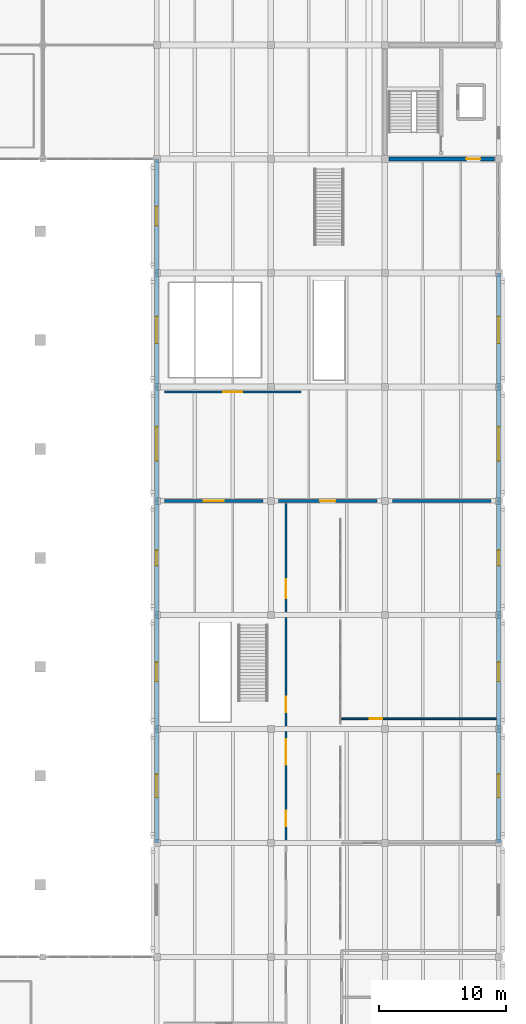
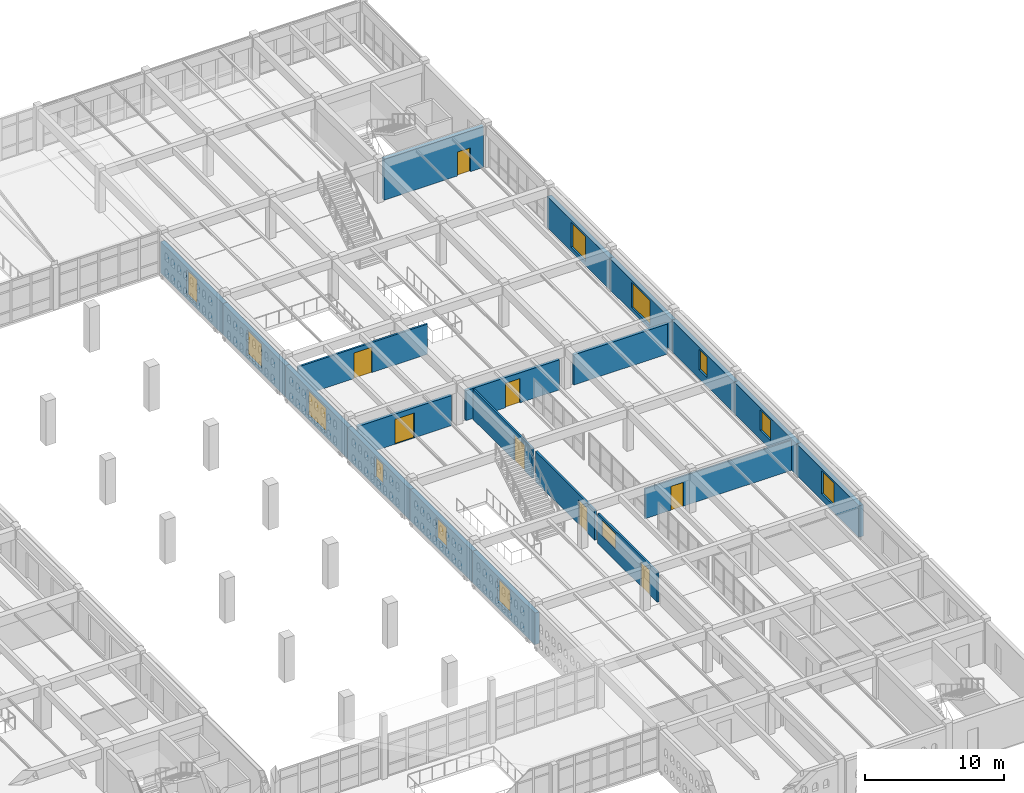
# One storey, part 135 of 156: 20 walls, 12 windows, 8 doors, 20 openings.
"""IFC4 building model written with IfcOpenShell, lengths in metres."""

from ifc_helpers import new_model, si_unit, direction, frame, frame_2d, origin, place, context, subcontext, project, spatial, rectangle, extrude, material, layer, layer_set, type_object, element, fill, save


model = new_model("IFC4")

# Units and contexts
model_context = context("Model", 3, precision=1e-05, world=origin(), true_north=direction((0.0, 1.0)))
body_context = subcontext(model_context, "Body", "Model", "MODEL_VIEW")
ifc_project = project(units=[si_unit("LENGTHUNIT", "METRE"), si_unit("AREAUNIT", "SQUARE_METRE"), si_unit("VOLUMEUNIT", "CUBIC_METRE"), si_unit("PLANEANGLEUNIT", "RADIAN"), si_unit("MASSUNIT", "GRAM", prefix="KILO")], contexts=[model_context])

# Site, building, storey
site_placement = place(None, origin())
site = spatial("IfcSite", under=ifc_project, at=site_placement, CompositionType="ELEMENT")
building_placement = place(site_placement, origin())
building = spatial("IfcBuilding", under=site, at=building_placement, Name="Ornek Quay Market", CompositionType="ELEMENT")
storey_placement = place(building_placement, frame((0.0, 0.0, 4.5)))
storey = spatial("IfcBuildingStorey", under=building, at=storey_placement, Name="L01", CompositionType="ELEMENT", Elevation=4.5)

# Wall, opening, door
ifc_material_1 = material(Name="Concrete C40/50", Category="concrete")
ifc_layer_1 = layer(ifc_material_1, 0.300048828125, Name="Concrete C40/50", Category="concrete")
ifc_layer_set_1 = layer_set([ifc_layer_1], Name="Concrete C40/50")
wall_type_1 = type_object("IfcWallType", Name="WL-CORE-300", PredefinedType="SHEAR", material=ifc_layer_set_1)
wall_1_placement = place(storey_placement, frame((171.35009765625, 92.0, 0.0), z_axis=(0.0, 0.0, 1.0), x_axis=(1.0, 0.0, 0.0)))
wall_1 = element("IfcWall", 1, at=wall_1_placement, inside=storey, type_object=wall_type_1, Name="Interior wall W-CORE1-132", PredefinedType="SHEAR", context=body_context, shape_type="SweptSolid", body=[
    extrude(rectangle(XDim=8.2998046875, YDim=0.300048828125, at=frame_2d((4.14990234375, 0.0))), origin(), (0.0, 0.0, 1.0), 3.6201171875),
])
opening_1_placement = place(wall_1_placement, frame((6.10009765625, 0.0, 0.0)))
opening_1 = element("IfcOpeningElement", 2, at=opening_1_placement, cuts=wall_1, Name="Opening FD-04-050", PredefinedType="OPENING", context=body_context, shape_type="SweptSolid", body=[
    extrude(rectangle(XDim=1.10009765625, YDim=2.10009765625, at=frame_2d((0.550048828125, 1.050048828125))), frame((0.0, 0.159912109375, 0.0), z_axis=(0.0, -1.0, 0.0), x_axis=(1.0, 0.0, 0.0)), (0.0, 0.0, 1.0), 0.320068359375),
])
ifc_material_2 = material(Name="Insulated fire-rated painted steel", Category="steel")
door_type_1 = type_object("IfcDoorType", Name="DR-FIRE-LOBBY-1100x2100", OperationType="NOTDEFINED", PredefinedType="DOOR", material=ifc_material_2)
door_1_placement = place(opening_1_placement, origin())
door_1 = element("IfcDoor", 3, at=door_1_placement, inside=storey, type_object=door_type_1, Name="Interior door FD-04-050", OperationType="SINGLE_SWING_LEFT", OverallHeight=2.10009765625, OverallWidth=1.10009765625, PredefinedType="DOOR", context=body_context, shape_type="SweptSolid", body=[
    extrude(rectangle(XDim=1.10009765625, YDim=2.10009765625, at=frame_2d((0.550048828125, 1.050048828125))), frame((0.0, 0.02490234375, 0.0), z_axis=(0.0, -1.0, 0.0), x_axis=(1.0, 0.0, 0.0)), (0.0, 0.0, 1.0), 0.050048828125),
])
fill(opening_1, door_1)

# Wall, opening, window
ifc_material_3 = material(Name="Frost-resistant facing clay brick M200 F100", Category="masonry")
ifc_layer_2 = layer(ifc_material_3, 0.3701171875, Name="Frost-resistant facing clay brick M200 F100", Category="masonry")
ifc_layer_set_2 = layer_set([ifc_layer_2], Name="Frost-resistant facing clay brick M200 F100")
wall_type_2 = type_object("IfcWallType", Name="WL-EXT-CS-370", PredefinedType="STANDARD", material=ifc_layer_set_2)
wall_2_placement = place(storey_placement, frame((153.0, 38.0, 0.0), z_axis=(0.0, 0.0, 1.0), x_axis=(0.0, 1.0, 0.0)))
wall_2 = element("IfcWall", 4, at=wall_2_placement, inside=storey, type_object=wall_type_2, Name="Exterior wall EW-202", PredefinedType="STANDARD", context=body_context, shape_type="SweptSolid", body=[
    extrude(rectangle(XDim=9.0, YDim=0.3701171875, at=frame_2d((4.5, 0.0))), origin(), (0.0, 0.0, 1.0), 2.780029296875),
])
opening_2_placement = place(wall_2_placement, frame((3.60009765625, 0.0, 0.590087890625)))
opening_2 = element("IfcOpeningElement", 5, at=opening_2_placement, cuts=wall_2, Name="Opening W-09-165", PredefinedType="OPENING", context=body_context, shape_type="SweptSolid", body=[
    extrude(rectangle(XDim=1.800048828125, YDim=2.0, at=frame_2d((0.89990234375, 1.0))), frame((0.0, 0.195068359375, 0.0), z_axis=(0.0, -1.0, 0.0), x_axis=(1.0, 0.0, 0.0)), (0.0, 0.0, 1.0), 0.39013671875),
])
ifc_material_4 = material(Name="Thermally broken bronze aluminium and triple low-e glass", Category="aluminium")
window_type_1 = type_object("IfcWindowType", Name="WN-CS-1800x2000", PartitioningType="DOUBLE_PANEL_VERTICAL", PredefinedType="WINDOW", material=ifc_material_4)
window_1_placement = place(opening_2_placement, origin())
window_1 = element("IfcWindow", 6, at=window_1_placement, inside=storey, type_object=window_type_1, Name="Window W-09-165", OverallHeight=2.0, OverallWidth=1.800048828125, PartitioningType="SINGLE_PANEL", PredefinedType="WINDOW", context=body_context, shape_type="SweptSolid", body=[
    extrude(rectangle(XDim=1.800048828125, YDim=2.0, at=frame_2d((0.89990234375, 1.0))), frame((0.0, 0.030029296875, 0.0), z_axis=(0.0, -1.0, 0.0), x_axis=(1.0, 0.0, 0.0)), (0.0, 0.0, 1.0), 0.06005859375),
])
fill(opening_2, window_1)

wall_3_placement = place(storey_placement, frame((153.0, 47.0, 0.0), z_axis=(0.0, 0.0, 1.0), x_axis=(0.0, 1.0, 0.0)))
wall_3 = element("IfcWall", 7, at=wall_3_placement, inside=storey, type_object=wall_type_2, Name="Exterior wall EW-203", PredefinedType="STANDARD", context=body_context, shape_type="SweptSolid", body=[
    extrude(rectangle(XDim=9.0, YDim=0.3701171875, at=frame_2d((4.5, 0.0))), origin(), (0.0, 0.0, 1.0), 2.780029296875),
])
opening_3_placement = place(wall_3_placement, frame((3.75, 0.0, 0.7900390625)))
opening_3 = element("IfcOpeningElement", 8, at=opening_3_placement, cuts=wall_3, Name="Opening W-10-166", PredefinedType="OPENING", context=body_context, shape_type="SweptSolid", body=[
    extrude(rectangle(XDim=1.5, YDim=1.800048828125, at=frame_2d((0.75, 0.89990234375))), frame((0.0, 0.195068359375, 0.0), z_axis=(0.0, -1.0, 0.0), x_axis=(1.0, 0.0, 0.0)), (0.0, 0.0, 1.0), 0.39013671875),
])
window_type_2 = type_object("IfcWindowType", Name="WN-CS-1500x1800", PartitioningType="SINGLE_PANEL", PredefinedType="WINDOW", material=ifc_material_4)
window_2_placement = place(opening_3_placement, origin())
window_2 = element("IfcWindow", 9, at=window_2_placement, inside=storey, type_object=window_type_2, Name="Window W-10-166", OverallHeight=1.800048828125, OverallWidth=1.5, PartitioningType="SINGLE_PANEL", PredefinedType="WINDOW", context=body_context, shape_type="SweptSolid", body=[
    extrude(rectangle(XDim=1.5, YDim=1.800048828125, at=frame_2d((0.75, 0.89990234375))), frame((0.0, 0.030029296875, 0.0), z_axis=(0.0, -1.0, 0.0), x_axis=(1.0, 0.0, 0.0)), (0.0, 0.0, 1.0), 0.06005859375),
])
fill(opening_3, window_2)

wall_4_placement = place(storey_placement, frame((153.0, 56.0, 0.0), z_axis=(0.0, 0.0, 1.0), x_axis=(0.0, 1.0, 0.0)))
wall_4 = element("IfcWall", 10, at=wall_4_placement, inside=storey, type_object=wall_type_2, Name="Exterior wall EW-204", PredefinedType="STANDARD", context=body_context, shape_type="SweptSolid", body=[
    extrude(rectangle(XDim=9.0, YDim=0.3701171875, at=frame_2d((4.5, 0.0))), origin(), (0.0, 0.0, 1.0), 2.760009765625),
])
opening_4_placement = place(wall_4_placement, frame((3.89990234375, 0.0, 0.780029296875)))
opening_4 = element("IfcOpeningElement", 11, at=opening_4_placement, cuts=wall_4, Name="Opening W-11-167", PredefinedType="OPENING", context=body_context, shape_type="SweptSolid", body=[
    extrude(rectangle(XDim=1.199951171875, YDim=1.800048828125, at=frame_2d((0.60009765625, 0.89990234375))), frame((0.0, 0.195068359375, 0.0), z_axis=(0.0, -1.0, 0.0), x_axis=(1.0, 0.0, 0.0)), (0.0, 0.0, 1.0), 0.39013671875),
])
window_type_3 = type_object("IfcWindowType", Name="WN-CS-1200x1800", PartitioningType="SINGLE_PANEL", PredefinedType="WINDOW", material=ifc_material_4)
window_3_placement = place(opening_4_placement, origin())
window_3 = element("IfcWindow", 12, at=window_3_placement, inside=storey, type_object=window_type_3, Name="Window W-11-167", OverallHeight=1.800048828125, OverallWidth=1.199951171875, PartitioningType="SINGLE_PANEL", PredefinedType="WINDOW", context=body_context, shape_type="SweptSolid", body=[
    extrude(rectangle(XDim=1.199951171875, YDim=1.800048828125, at=frame_2d((0.60009765625, 0.89990234375))), frame((0.0, 0.030029296875, 0.0), z_axis=(0.0, -1.0, 0.0), x_axis=(1.0, 0.0, 0.0)), (0.0, 0.0, 1.0), 0.06005859375),
])
fill(opening_4, window_3)

wall_5_placement = place(storey_placement, frame((180.0, 38.0, 0.0), z_axis=(0.0, 0.0, 1.0), x_axis=(0.0, 1.0, 0.0)))
wall_5 = element("IfcWall", 13, at=wall_5_placement, inside=storey, type_object=wall_type_2, Name="Exterior wall EW-208", PredefinedType="STANDARD", context=body_context, shape_type="SweptSolid", body=[
    extrude(rectangle(XDim=9.0, YDim=0.3701171875, at=frame_2d((4.5, 0.0))), origin(), (0.0, 0.0, 1.0), 2.780029296875),
])
opening_5_placement = place(wall_5_placement, frame((3.60009765625, 0.0, 0.590087890625)))
opening_5 = element("IfcOpeningElement", 14, at=opening_5_placement, cuts=wall_5, Name="Opening W-09-171", PredefinedType="OPENING", context=body_context, shape_type="SweptSolid", body=[
    extrude(rectangle(XDim=1.800048828125, YDim=2.0, at=frame_2d((0.89990234375, 1.0))), frame((0.0, 0.195068359375, 0.0), z_axis=(0.0, -1.0, 0.0), x_axis=(1.0, 0.0, 0.0)), (0.0, 0.0, 1.0), 0.39013671875),
])
window_4_placement = place(opening_5_placement, origin())
window_4 = element("IfcWindow", 15, at=window_4_placement, inside=storey, type_object=window_type_1, Name="Window W-09-171", OverallHeight=2.0, OverallWidth=1.800048828125, PartitioningType="SINGLE_PANEL", PredefinedType="WINDOW", context=body_context, shape_type="SweptSolid", body=[
    extrude(rectangle(XDim=1.800048828125, YDim=2.0, at=frame_2d((0.89990234375, 1.0))), frame((0.0, 0.030029296875, 0.0), z_axis=(0.0, -1.0, 0.0), x_axis=(1.0, 0.0, 0.0)), (0.0, 0.0, 1.0), 0.06005859375),
])
fill(opening_5, window_4)

wall_6_placement = place(storey_placement, frame((180.0, 47.0, 0.0), z_axis=(0.0, 0.0, 1.0), x_axis=(0.0, 1.0, 0.0)))
wall_6 = element("IfcWall", 16, at=wall_6_placement, inside=storey, type_object=wall_type_2, Name="Exterior wall EW-209", PredefinedType="STANDARD", context=body_context, shape_type="SweptSolid", body=[
    extrude(rectangle(XDim=9.0, YDim=0.3701171875, at=frame_2d((4.5, 0.0))), origin(), (0.0, 0.0, 1.0), 2.780029296875),
])
opening_6_placement = place(wall_6_placement, frame((3.75, 0.0, 0.7900390625)))
opening_6 = element("IfcOpeningElement", 17, at=opening_6_placement, cuts=wall_6, Name="Opening W-10-172", PredefinedType="OPENING", context=body_context, shape_type="SweptSolid", body=[
    extrude(rectangle(XDim=1.5, YDim=1.800048828125, at=frame_2d((0.75, 0.89990234375))), frame((0.0, 0.195068359375, 0.0), z_axis=(0.0, -1.0, 0.0), x_axis=(1.0, 0.0, 0.0)), (0.0, 0.0, 1.0), 0.39013671875),
])
window_5_placement = place(opening_6_placement, origin())
window_5 = element("IfcWindow", 18, at=window_5_placement, inside=storey, type_object=window_type_2, Name="Window W-10-172", OverallHeight=1.800048828125, OverallWidth=1.5, PartitioningType="SINGLE_PANEL", PredefinedType="WINDOW", context=body_context, shape_type="SweptSolid", body=[
    extrude(rectangle(XDim=1.5, YDim=1.800048828125, at=frame_2d((0.75, 0.89990234375))), frame((0.0, 0.030029296875, 0.0), z_axis=(0.0, -1.0, 0.0), x_axis=(1.0, 0.0, 0.0)), (0.0, 0.0, 1.0), 0.06005859375),
])
fill(opening_6, window_5)

wall_7_placement = place(storey_placement, frame((180.0, 56.0, 0.0), z_axis=(0.0, 0.0, 1.0), x_axis=(0.0, 1.0, 0.0)))
wall_7 = element("IfcWall", 19, at=wall_7_placement, inside=storey, type_object=wall_type_2, Name="Exterior wall EW-210", PredefinedType="STANDARD", context=body_context, shape_type="SweptSolid", body=[
    extrude(rectangle(XDim=9.0, YDim=0.3701171875, at=frame_2d((4.5, 0.0))), origin(), (0.0, 0.0, 1.0), 2.760009765625),
])
opening_7_placement = place(wall_7_placement, frame((3.89990234375, 0.0, 0.780029296875)))
opening_7 = element("IfcOpeningElement", 20, at=opening_7_placement, cuts=wall_7, Name="Opening W-11-173", PredefinedType="OPENING", context=body_context, shape_type="SweptSolid", body=[
    extrude(rectangle(XDim=1.199951171875, YDim=1.800048828125, at=frame_2d((0.60009765625, 0.89990234375))), frame((0.0, 0.195068359375, 0.0), z_axis=(0.0, -1.0, 0.0), x_axis=(1.0, 0.0, 0.0)), (0.0, 0.0, 1.0), 0.39013671875),
])
window_6_placement = place(opening_7_placement, origin())
window_6 = element("IfcWindow", 21, at=window_6_placement, inside=storey, type_object=window_type_3, Name="Window W-11-173", OverallHeight=1.800048828125, OverallWidth=1.199951171875, PartitioningType="SINGLE_PANEL", PredefinedType="WINDOW", context=body_context, shape_type="SweptSolid", body=[
    extrude(rectangle(XDim=1.199951171875, YDim=1.800048828125, at=frame_2d((0.60009765625, 0.89990234375))), frame((0.0, 0.030029296875, 0.0), z_axis=(0.0, -1.0, 0.0), x_axis=(1.0, 0.0, 0.0)), (0.0, 0.0, 1.0), 0.06005859375),
])
fill(opening_7, window_6)

ifc_layer_3 = layer(ifc_material_3, 0.360107421875, Name="Frost-resistant facing clay brick M200 F100", Category="masonry")
ifc_layer_set_3 = layer_set([ifc_layer_3], Name="Frost-resistant facing clay brick M200 F100")
wall_type_3 = type_object("IfcWallType", Name="WL-EXT-FC-360", PredefinedType="STANDARD", material=ifc_layer_set_3)
wall_8_placement = place(storey_placement, frame((153.0, 65.0, 0.0), z_axis=(0.0, 0.0, 1.0), x_axis=(0.0, 1.0, 0.0)))
wall_8 = element("IfcWall", 22, at=wall_8_placement, inside=storey, type_object=wall_type_3, Name="Exterior wall EW-158", PredefinedType="STANDARD", context=body_context, shape_type="SweptSolid", body=[
    extrude(rectangle(XDim=9.0, YDim=0.360107421875, at=frame_2d((4.5, 0.0))), origin(), (0.0, 0.0, 1.0), 2.760009765625),
])
opening_8_placement = place(wall_8_placement, frame((3.14990234375, 0.0, 0.35009765625)))
opening_8 = element("IfcOpeningElement", 23, at=opening_8_placement, cuts=wall_8, Name="Opening W-05-130", PredefinedType="OPENING", context=body_context, shape_type="SweptSolid", body=[
    extrude(rectangle(XDim=2.699951171875, YDim=2.219970703125, at=frame_2d((1.35009765625, 1.10986328125))), frame((0.0, 0.18994140625, 0.0), z_axis=(0.0, -1.0, 0.0), x_axis=(1.0, 0.0, 0.0)), (0.0, 0.0, 1.0), 0.380126953125),
])
window_type_4 = type_object("IfcWindowType", Name="WN-FC-2700x2400", PartitioningType="TRIPLE_PANEL_VERTICAL", PredefinedType="WINDOW", material=ifc_material_4)
window_7_placement = place(opening_8_placement, origin())
window_7 = element("IfcWindow", 24, at=window_7_placement, inside=storey, type_object=window_type_4, Name="Window W-05-130", OverallHeight=2.219970703125, OverallWidth=2.699951171875, PartitioningType="SINGLE_PANEL", PredefinedType="WINDOW", context=body_context, shape_type="SweptSolid", body=[
    extrude(rectangle(XDim=2.699951171875, YDim=2.219970703125, at=frame_2d((1.35009765625, 1.10986328125))), frame((0.0, 0.030029296875, 0.0), z_axis=(0.0, -1.0, 0.0), x_axis=(1.0, 0.0, 0.0)), (0.0, 0.0, 1.0), 0.06005859375),
])
fill(opening_8, window_7)

wall_9_placement = place(storey_placement, frame((153.0, 74.0, 0.0), z_axis=(0.0, 0.0, 1.0), x_axis=(0.0, 1.0, 0.0)))
wall_9 = element("IfcWall", 25, at=wall_9_placement, inside=storey, type_object=wall_type_3, Name="Exterior wall EW-159", PredefinedType="STANDARD", context=body_context, shape_type="SweptSolid", body=[
    extrude(rectangle(XDim=9.0, YDim=0.360107421875, at=frame_2d((4.5, 0.0))), origin(), (0.0, 0.0, 1.0), 2.760009765625),
])
opening_9_placement = place(wall_9_placement, frame((3.449951171875, 0.0, 0.3701171875)))
opening_9 = element("IfcOpeningElement", 26, at=opening_9_placement, cuts=wall_9, Name="Opening W-06-131", PredefinedType="OPENING", context=body_context, shape_type="SweptSolid", body=[
    extrude(rectangle(XDim=2.10009765625, YDim=2.199951171875, at=frame_2d((1.050048828125, 1.10009765625))), frame((0.0, 0.18994140625, 0.0), z_axis=(0.0, -1.0, 0.0), x_axis=(1.0, 0.0, 0.0)), (0.0, 0.0, 1.0), 0.380126953125),
])
window_type_5 = type_object("IfcWindowType", Name="WN-FC-2100x2200", PartitioningType="DOUBLE_PANEL_VERTICAL", PredefinedType="WINDOW", material=ifc_material_4)
window_8_placement = place(opening_9_placement, origin())
window_8 = element("IfcWindow", 27, at=window_8_placement, inside=storey, type_object=window_type_5, Name="Window W-06-131", OverallHeight=2.199951171875, OverallWidth=2.10009765625, PartitioningType="SINGLE_PANEL", PredefinedType="WINDOW", context=body_context, shape_type="SweptSolid", body=[
    extrude(rectangle(XDim=2.10009765625, YDim=2.199951171875, at=frame_2d((1.050048828125, 1.10009765625))), frame((0.0, 0.030029296875, 0.0), z_axis=(0.0, -1.0, 0.0), x_axis=(1.0, 0.0, 0.0)), (0.0, 0.0, 1.0), 0.06005859375),
])
fill(opening_9, window_8)

wall_10_placement = place(storey_placement, frame((153.0, 83.0, 0.0), z_axis=(0.0, 0.0, 1.0), x_axis=(0.0, 1.0, 0.0)))
wall_10 = element("IfcWall", 28, at=wall_10_placement, inside=storey, type_object=wall_type_3, Name="Exterior wall EW-160", PredefinedType="STANDARD", context=body_context, shape_type="SweptSolid", body=[
    extrude(rectangle(XDim=9.0, YDim=0.360107421875, at=frame_2d((4.5, 0.0))), origin(), (0.0, 0.0, 1.0), 2.760009765625),
])
opening_10_placement = place(wall_10_placement, frame((3.75, 0.0, 0.3701171875)))
opening_10 = element("IfcOpeningElement", 29, at=opening_10_placement, cuts=wall_10, Name="Opening W-07-132", PredefinedType="OPENING", context=body_context, shape_type="SweptSolid", body=[
    extrude(rectangle(XDim=1.5, YDim=2.199951171875, at=frame_2d((0.75, 1.10009765625))), frame((0.0, 0.18994140625, 0.0), z_axis=(0.0, -1.0, 0.0), x_axis=(1.0, 0.0, 0.0)), (0.0, 0.0, 1.0), 0.380126953125),
])
window_type_6 = type_object("IfcWindowType", Name="WN-FC-1500x2200", PartitioningType="SINGLE_PANEL", PredefinedType="WINDOW", material=ifc_material_4)
window_9_placement = place(opening_10_placement, origin())
window_9 = element("IfcWindow", 30, at=window_9_placement, inside=storey, type_object=window_type_6, Name="Window W-07-132", OverallHeight=2.199951171875, OverallWidth=1.5, PartitioningType="SINGLE_PANEL", PredefinedType="WINDOW", context=body_context, shape_type="SweptSolid", body=[
    extrude(rectangle(XDim=1.5, YDim=2.199951171875, at=frame_2d((0.75, 1.10009765625))), frame((0.0, 0.030029296875, 0.0), z_axis=(0.0, -1.0, 0.0), x_axis=(1.0, 0.0, 0.0)), (0.0, 0.0, 1.0), 0.06005859375),
])
fill(opening_10, window_9)

wall_11_placement = place(storey_placement, frame((180.0, 65.0, 0.0), z_axis=(0.0, 0.0, 1.0), x_axis=(0.0, 1.0, 0.0)))
wall_11 = element("IfcWall", 31, at=wall_11_placement, inside=storey, type_object=wall_type_3, Name="Exterior wall EW-161", PredefinedType="STANDARD", context=body_context, shape_type="SweptSolid", body=[
    extrude(rectangle(XDim=9.0, YDim=0.360107421875, at=frame_2d((4.5, 0.0))), origin(), (0.0, 0.0, 1.0), 2.760009765625),
])
opening_11_placement = place(wall_11_placement, frame((3.14990234375, 0.0, 0.35009765625)))
opening_11 = element("IfcOpeningElement", 32, at=opening_11_placement, cuts=wall_11, Name="Opening W-05-133", PredefinedType="OPENING", context=body_context, shape_type="SweptSolid", body=[
    extrude(rectangle(XDim=2.699951171875, YDim=2.219970703125, at=frame_2d((1.35009765625, 1.10986328125))), frame((0.0, 0.18994140625, 0.0), z_axis=(0.0, -1.0, 0.0), x_axis=(1.0, 0.0, 0.0)), (0.0, 0.0, 1.0), 0.380126953125),
])
window_10_placement = place(opening_11_placement, origin())
window_10 = element("IfcWindow", 33, at=window_10_placement, inside=storey, type_object=window_type_4, Name="Window W-05-133", OverallHeight=2.219970703125, OverallWidth=2.699951171875, PartitioningType="SINGLE_PANEL", PredefinedType="WINDOW", context=body_context, shape_type="SweptSolid", body=[
    extrude(rectangle(XDim=2.699951171875, YDim=2.219970703125, at=frame_2d((1.35009765625, 1.10986328125))), frame((0.0, 0.030029296875, 0.0), z_axis=(0.0, -1.0, 0.0), x_axis=(1.0, 0.0, 0.0)), (0.0, 0.0, 1.0), 0.06005859375),
])
fill(opening_11, window_10)

wall_12_placement = place(storey_placement, frame((180.0, 74.0, 0.0), z_axis=(0.0, 0.0, 1.0), x_axis=(0.0, 1.0, 0.0)))
wall_12 = element("IfcWall", 34, at=wall_12_placement, inside=storey, type_object=wall_type_3, Name="Exterior wall EW-162", PredefinedType="STANDARD", context=body_context, shape_type="SweptSolid", body=[
    extrude(rectangle(XDim=9.0, YDim=0.360107421875, at=frame_2d((4.5, 0.0))), origin(), (0.0, 0.0, 1.0), 2.760009765625),
])
opening_12_placement = place(wall_12_placement, frame((3.449951171875, 0.0, 0.3701171875)))
opening_12 = element("IfcOpeningElement", 35, at=opening_12_placement, cuts=wall_12, Name="Opening W-06-134", PredefinedType="OPENING", context=body_context, shape_type="SweptSolid", body=[
    extrude(rectangle(XDim=2.10009765625, YDim=2.199951171875, at=frame_2d((1.050048828125, 1.10009765625))), frame((0.0, 0.18994140625, 0.0), z_axis=(0.0, -1.0, 0.0), x_axis=(1.0, 0.0, 0.0)), (0.0, 0.0, 1.0), 0.380126953125),
])
window_11_placement = place(opening_12_placement, origin())
window_11 = element("IfcWindow", 36, at=window_11_placement, inside=storey, type_object=window_type_5, Name="Window W-06-134", OverallHeight=2.199951171875, OverallWidth=2.10009765625, PartitioningType="SINGLE_PANEL", PredefinedType="WINDOW", context=body_context, shape_type="SweptSolid", body=[
    extrude(rectangle(XDim=2.10009765625, YDim=2.199951171875, at=frame_2d((1.050048828125, 1.10009765625))), frame((0.0, 0.030029296875, 0.0), z_axis=(0.0, -1.0, 0.0), x_axis=(1.0, 0.0, 0.0)), (0.0, 0.0, 1.0), 0.06005859375),
])
fill(opening_12, window_11)

# Wall, opening, door
ifc_material_5 = material(Name="Concrete C35/45", Category="concrete")
ifc_layer_4 = layer(ifc_material_5, 0.239990234375, Name="Concrete C35/45", Category="concrete")
ifc_layer_set_4 = layer_set([ifc_layer_4], Name="Concrete C35/45")
wall_type_4 = type_object("IfcWallType", Name="WL-FIRE-240", PredefinedType="SOLIDWALL", material=ifc_layer_set_4)
wall_13_placement = place(storey_placement, frame((153.60009765625, 65.0, 0.0), z_axis=(0.0, 0.0, 1.0), x_axis=(1.0, 0.0, 0.0)))
wall_13 = element("IfcWall", 37, at=wall_13_placement, inside=storey, type_object=wall_type_4, Name="Interior wall W-FIRE2-312", PredefinedType="SOLIDWALL", context=body_context, shape_type="SweptSolid", body=[
    extrude(rectangle(XDim=7.7998046875, YDim=0.239990234375, at=frame_2d((3.89990234375, 0.0))), origin(), (0.0, 0.0, 1.0), 2.64990234375),
])
opening_13_placement = place(wall_13_placement, frame((3.10009765625, 0.0, 0.0)))
opening_13 = element("IfcOpeningElement", 38, at=opening_13_placement, cuts=wall_13, Name="Opening FD-02-144", PredefinedType="OPENING", context=body_context, shape_type="SweptSolid", body=[
    extrude(rectangle(XDim=1.60009765625, YDim=2.199951171875, at=frame_2d((0.800048828125, 1.10009765625))), frame((0.0, 0.1298828125, 0.0), z_axis=(0.0, -1.0, 0.0), x_axis=(1.0, 0.0, 0.0)), (0.0, 0.0, 1.0), 0.260009765625),
])
door_type_2 = type_object("IfcDoorType", Name="DR-FIRE-DBL-1600x2200", OperationType="DOUBLE_DOOR_SINGLE_SWING", PredefinedType="DOOR", material=ifc_material_2)
door_2_placement = place(opening_13_placement, origin())
door_2 = element("IfcDoor", 39, at=door_2_placement, inside=storey, type_object=door_type_2, Name="Interior door FD-02-144", OperationType="DOUBLE_DOOR_SINGLE_SWING", OverallHeight=2.199951171875, OverallWidth=1.60009765625, PredefinedType="DOOR", context=body_context, shape_type="SweptSolid", body=[
    extrude(rectangle(XDim=1.60009765625, YDim=2.199951171875, at=frame_2d((0.800048828125, 1.10009765625))), frame((0.0, 0.02490234375, 0.0), z_axis=(0.0, -1.0, 0.0), x_axis=(1.0, 0.0, 0.0)), (0.0, 0.0, 1.0), 0.050048828125),
])
fill(opening_13, door_2)

wall_14_placement = place(storey_placement, frame((162.60009765625, 65.0, 0.0), z_axis=(0.0, 0.0, 1.0), x_axis=(1.0, 0.0, 0.0)))
wall_14 = element("IfcWall", 40, at=wall_14_placement, inside=storey, type_object=wall_type_4, Name="Interior wall W-FIRE2-313", PredefinedType="SOLIDWALL", context=body_context, shape_type="SweptSolid", body=[
    extrude(rectangle(XDim=7.7998046875, YDim=0.239990234375, at=frame_2d((3.89990234375, 0.0))), origin(), (0.0, 0.0, 1.0), 2.64990234375),
])
opening_14_placement = place(wall_14_placement, frame((3.300048828125, 0.0, 0.0)))
opening_14 = element("IfcOpeningElement", 41, at=opening_14_placement, cuts=wall_14, Name="Opening ID-02-145", PredefinedType="OPENING", context=body_context, shape_type="SweptSolid", body=[
    extrude(rectangle(XDim=1.199951171875, YDim=2.14990234375, at=frame_2d((0.60009765625, 1.074951171875))), frame((0.0, 0.1298828125, 0.0), z_axis=(0.0, -1.0, 0.0), x_axis=(1.0, 0.0, 0.0)), (0.0, 0.0, 1.0), 0.260009765625),
])
ifc_material_6 = material(Name="Acoustic solid oak door", Category="other")
door_type_3 = type_object("IfcDoorType", Name="DR-INT-STUDIO-1200x2150", OperationType="NOTDEFINED", PredefinedType="DOOR", material=ifc_material_6)
door_3_placement = place(opening_14_placement, origin())
door_3 = element("IfcDoor", 42, at=door_3_placement, inside=storey, type_object=door_type_3, Name="Interior door ID-02-145", OperationType="SINGLE_SWING_RIGHT", OverallHeight=2.14990234375, OverallWidth=1.199951171875, PredefinedType="DOOR", context=body_context, shape_type="SweptSolid", body=[
    extrude(rectangle(XDim=1.199951171875, YDim=2.14990234375, at=frame_2d((0.60009765625, 1.074951171875))), frame((0.0, 0.02490234375, 0.0), z_axis=(0.0, -1.0, 0.0), x_axis=(1.0, 0.0, 0.0)), (0.0, 0.0, 1.0), 0.050048828125),
])
fill(opening_14, door_3)

# Wall
wall_15_placement = place(storey_placement, frame((171.60009765625, 65.0, 0.0), z_axis=(0.0, 0.0, 1.0), x_axis=(1.0, 0.0, 0.0)))
element("IfcWall", 43, at=wall_15_placement, inside=storey, type_object=wall_type_4, Name="Interior wall W-FIRE2-314", PredefinedType="SOLIDWALL", context=body_context, shape_type="SweptSolid", body=[
    extrude(rectangle(XDim=7.7998046875, YDim=0.239990234375, at=frame_2d((3.89990234375, 0.0))), origin(), (0.0, 0.0, 1.0), 2.64990234375),
])

# Wall, openings, door, window
ifc_material_7 = material(Name="Ceramic-tiled masonry partition", Category="masonry")
ifc_layer_5 = layer(ifc_material_7, 0.159912109375, Name="Ceramic-tiled masonry partition", Category="masonry")
ifc_layer_set_5 = layer_set([ifc_layer_5], Name="Ceramic-tiled masonry partition")
wall_type_5 = type_object("IfcWallType", Name="WL-KIT-160", PredefinedType="PARTITIONING", material=ifc_layer_set_5)
wall_16_placement = place(storey_placement, frame((163.199951171875, 38.219970703125, 0.0), z_axis=(0.0, 0.0, 1.0), x_axis=(0.0, 1.0, 0.0)))
wall_16 = element("IfcWall", 44, at=wall_16_placement, inside=storey, type_object=wall_type_5, Name="Interior wall W-INT2-318", PredefinedType="PARTITIONING", context=body_context, shape_type="SweptSolid", body=[
    extrude(rectangle(XDim=8.56005859375, YDim=0.159912109375, at=frame_2d((4.280029296875, 0.0))), origin(), (0.0, 0.0, 1.0), 2.64990234375),
])
opening_15_placement = place(wall_16_placement, frame((1.10009765625, 0.0, 0.0)))
opening_15 = element("IfcOpeningElement", 45, at=opening_15_placement, cuts=wall_16, Name="Opening ID-02-149", PredefinedType="OPENING", context=body_context, shape_type="SweptSolid", body=[
    extrude(rectangle(XDim=1.199951171875, YDim=2.14990234375, at=frame_2d((0.60009765625, 1.074951171875))), frame((0.0, 0.08984375, 0.0), z_axis=(0.0, -1.0, 0.0), x_axis=(1.0, 0.0, 0.0)), (0.0, 0.0, 1.0), 0.179931640625),
])
opening_16_placement = place(wall_16_placement, frame((5.9599609375, 0.0, 1.050048828125)))
opening_16 = element("IfcOpeningElement", 46, at=opening_16_placement, cuts=wall_16, Name="Opening W-19-L01-38", PredefinedType="OPENING", context=body_context, shape_type="SweptSolid", body=[
    extrude(rectangle(XDim=2.0, YDim=1.35009765625, at=frame_2d((1.0, 0.675048828125))), frame((0.0, 0.08984375, 0.0), z_axis=(0.0, -1.0, 0.0), x_axis=(1.0, 0.0, 0.0)), (0.0, 0.0, 1.0), 0.179931640625),
])
door_4_placement = place(opening_15_placement, origin())
door_4 = element("IfcDoor", 47, at=door_4_placement, inside=storey, type_object=door_type_3, Name="Interior door ID-02-149", OperationType="SINGLE_SWING_RIGHT", OverallHeight=2.14990234375, OverallWidth=1.199951171875, PredefinedType="DOOR", context=body_context, shape_type="SweptSolid", body=[
    extrude(rectangle(XDim=1.199951171875, YDim=2.14990234375, at=frame_2d((0.60009765625, 1.074951171875))), frame((0.0, 0.02490234375, 0.0), z_axis=(0.0, -1.0, 0.0), x_axis=(1.0, 0.0, 0.0)), (0.0, 0.0, 1.0), 0.050048828125),
])
fill(opening_15, door_4)
window_type_7 = type_object("IfcWindowType", Name="WN-INT-2000x1500", PartitioningType="DOUBLE_PANEL_VERTICAL", PredefinedType="WINDOW", material=ifc_material_4)
window_12_placement = place(opening_16_placement, origin())
window_12 = element("IfcWindow", 48, at=window_12_placement, inside=storey, type_object=window_type_7, Name="Teaching kitchen observation window L01-38", OverallHeight=1.35009765625, OverallWidth=2.0, PartitioningType="SINGLE_PANEL", PredefinedType="WINDOW", context=body_context, shape_type="SweptSolid", body=[
    extrude(rectangle(XDim=2.0, YDim=1.35009765625, at=frame_2d((1.0, 0.675048828125))), frame((0.0, 0.030029296875, 0.0), z_axis=(0.0, -1.0, 0.0), x_axis=(1.0, 0.0, 0.0)), (0.0, 0.0, 1.0), 0.06005859375),
])
fill(opening_16, window_12)

# Wall, opening, door
wall_17_placement = place(storey_placement, frame((163.199951171875, 47.219970703125, 0.0), z_axis=(0.0, 0.0, 1.0), x_axis=(0.0, 1.0, 0.0)))
wall_17 = element("IfcWall", 49, at=wall_17_placement, inside=storey, type_object=wall_type_5, Name="Interior wall W-INT2-319", PredefinedType="PARTITIONING", context=body_context, shape_type="SweptSolid", body=[
    extrude(rectangle(XDim=8.56005859375, YDim=0.159912109375, at=frame_2d((4.280029296875, 0.0))), origin(), (0.0, 0.0, 1.0), 2.64990234375),
])
opening_17_placement = place(wall_17_placement, frame((1.10009765625, 0.0, 0.0)))
opening_17 = element("IfcOpeningElement", 50, at=opening_17_placement, cuts=wall_17, Name="Opening ID-02-150", PredefinedType="OPENING", context=body_context, shape_type="SweptSolid", body=[
    extrude(rectangle(XDim=1.199951171875, YDim=2.14990234375, at=frame_2d((0.60009765625, 1.074951171875))), frame((0.0, 0.08984375, 0.0), z_axis=(0.0, -1.0, 0.0), x_axis=(1.0, 0.0, 0.0)), (0.0, 0.0, 1.0), 0.179931640625),
])
door_5_placement = place(opening_17_placement, origin())
door_5 = element("IfcDoor", 51, at=door_5_placement, inside=storey, type_object=door_type_3, Name="Interior door ID-02-150", OperationType="SINGLE_SWING_LEFT", OverallHeight=2.14990234375, OverallWidth=1.199951171875, PredefinedType="DOOR", context=body_context, shape_type="SweptSolid", body=[
    extrude(rectangle(XDim=1.199951171875, YDim=2.14990234375, at=frame_2d((0.60009765625, 1.074951171875))), frame((0.0, 0.02490234375, 0.0), z_axis=(0.0, -1.0, 0.0), x_axis=(1.0, 0.0, 0.0)), (0.0, 0.0, 1.0), 0.050048828125),
])
fill(opening_17, door_5)

wall_18_placement = place(storey_placement, frame((163.199951171875, 56.219970703125, 0.0), z_axis=(0.0, 0.0, 1.0), x_axis=(0.0, 1.0, 0.0)))
wall_18 = element("IfcWall", 52, at=wall_18_placement, inside=storey, type_object=wall_type_5, Name="Interior wall W-INT2-320", PredefinedType="PARTITIONING", context=body_context, shape_type="SweptSolid", body=[
    extrude(rectangle(XDim=8.56005859375, YDim=0.159912109375, at=frame_2d((4.280029296875, 0.0))), origin(), (0.0, 0.0, 1.0), 2.64990234375),
])
opening_18_placement = place(wall_18_placement, frame((1.10009765625, 0.0, 0.0)))
opening_18 = element("IfcOpeningElement", 53, at=opening_18_placement, cuts=wall_18, Name="Opening ID-01-151", PredefinedType="OPENING", context=body_context, shape_type="SweptSolid", body=[
    extrude(rectangle(XDim=1.5, YDim=2.25, at=frame_2d((0.75, 1.125))), frame((0.0, 0.08984375, 0.0), z_axis=(0.0, -1.0, 0.0), x_axis=(1.0, 0.0, 0.0)), (0.0, 0.0, 1.0), 0.179931640625),
])
ifc_material_8 = material(Name="Solid oak and laminated glass door", Category="glass")
door_type_4 = type_object("IfcDoorType", Name="DR-INT-SHOP-1500x2250", OperationType="DOUBLE_DOOR_SINGLE_SWING", PredefinedType="DOOR", material=ifc_material_8)
door_6_placement = place(opening_18_placement, origin())
door_6 = element("IfcDoor", 54, at=door_6_placement, inside=storey, type_object=door_type_4, Name="Interior door ID-01-151", OperationType="DOUBLE_DOOR_SINGLE_SWING", OverallHeight=2.25, OverallWidth=1.5, PredefinedType="DOOR", context=body_context, shape_type="SweptSolid", body=[
    extrude(rectangle(XDim=1.5, YDim=2.25, at=frame_2d((0.75, 1.125))), frame((0.0, 0.02490234375, 0.0), z_axis=(0.0, -1.0, 0.0), x_axis=(1.0, 0.0, 0.0)), (0.0, 0.0, 1.0), 0.050048828125),
])
fill(opening_18, door_6)

wall_19_placement = place(storey_placement, frame((153.60009765625, 73.60009765625, 0.0), z_axis=(0.0, 0.0, 1.0), x_axis=(1.0, 0.0, 0.0)))
wall_19 = element("IfcWall", 55, at=wall_19_placement, inside=storey, type_object=wall_type_5, Name="Interior wall W-INT2-326", PredefinedType="PARTITIONING", context=body_context, shape_type="SweptSolid", body=[
    extrude(rectangle(XDim=10.7998046875, YDim=0.159912109375, at=frame_2d((5.39990234375, 0.0))), origin(), (0.0, 0.0, 1.0), 2.64990234375),
])
opening_19_placement = place(wall_19_placement, frame((4.64990234375, 0.0, 0.0)))
opening_19 = element("IfcOpeningElement", 56, at=opening_19_placement, cuts=wall_19, Name="Opening ID-01-154", PredefinedType="OPENING", context=body_context, shape_type="SweptSolid", body=[
    extrude(rectangle(XDim=1.5, YDim=2.25, at=frame_2d((0.75, 1.125))), frame((0.0, 0.08984375, 0.0), z_axis=(0.0, -1.0, 0.0), x_axis=(1.0, 0.0, 0.0)), (0.0, 0.0, 1.0), 0.179931640625),
])
door_7_placement = place(opening_19_placement, origin())
door_7 = element("IfcDoor", 57, at=door_7_placement, inside=storey, type_object=door_type_4, Name="Interior door ID-01-154", OperationType="DOUBLE_DOOR_SINGLE_SWING", OverallHeight=2.25, OverallWidth=1.5, PredefinedType="DOOR", context=body_context, shape_type="SweptSolid", body=[
    extrude(rectangle(XDim=1.5, YDim=2.25, at=frame_2d((0.75, 1.125))), frame((0.0, 0.02490234375, 0.0), z_axis=(0.0, -1.0, 0.0), x_axis=(1.0, 0.0, 0.0)), (0.0, 0.0, 1.0), 0.050048828125),
])
fill(opening_19, door_7)

ifc_material_9 = material(Name="Acoustic stud partition", Category="other")
ifc_layer_6 = layer(ifc_material_9, 0.125, Name="Acoustic stud partition", Category="other")
ifc_layer_set_6 = layer_set([ifc_layer_6], Name="Acoustic stud partition")
wall_type_6 = type_object("IfcWallType", Name="WL-OFF-125", PredefinedType="PARTITIONING", material=ifc_layer_set_6)
wall_20_placement = place(storey_placement, frame((167.60009765625, 47.800048828125, 0.0), z_axis=(0.0, 0.0, 1.0), x_axis=(1.0, 0.0, 0.0)))
wall_20 = element("IfcWall", 58, at=wall_20_placement, inside=storey, type_object=wall_type_6, Name="Interior wall W-INT5-325", PredefinedType="PARTITIONING", context=body_context, shape_type="SweptSolid", body=[
    extrude(rectangle(XDim=12.199951171875, YDim=0.125, at=frame_2d((6.10009765625, 0.0))), origin(), (0.0, 0.0, 1.0), 2.64990234375),
])
opening_20_placement = place(wall_20_placement, frame((2.199951171875, 0.0, 0.0)))
opening_20 = element("IfcOpeningElement", 59, at=opening_20_placement, cuts=wall_20, Name="Opening ID-03-153", PredefinedType="OPENING", context=body_context, shape_type="SweptSolid", body=[
    extrude(rectangle(XDim=1.0, YDim=2.10009765625, at=frame_2d((0.5, 1.050048828125))), frame((0.0, 0.072509765625, 0.0), z_axis=(0.0, -1.0, 0.0), x_axis=(1.0, 0.0, 0.0)), (0.0, 0.0, 1.0), 0.14501953125),
])
ifc_material_10 = material(Name="Solid oak door", Category="other")
door_type_5 = type_object("IfcDoorType", Name="DR-INT-ROOM-1000x2100", OperationType="NOTDEFINED", PredefinedType="DOOR", material=ifc_material_10)
door_8_placement = place(opening_20_placement, origin())
door_8 = element("IfcDoor", 60, at=door_8_placement, inside=storey, type_object=door_type_5, Name="Interior door ID-03-153", OperationType="SINGLE_SWING_RIGHT", OverallHeight=2.10009765625, OverallWidth=1.0, PredefinedType="DOOR", context=body_context, shape_type="SweptSolid", body=[
    extrude(rectangle(XDim=1.0, YDim=2.10009765625, at=frame_2d((0.5, 1.050048828125))), frame((0.0, 0.02490234375, 0.0), z_axis=(0.0, -1.0, 0.0), x_axis=(1.0, 0.0, 0.0)), (0.0, 0.0, 1.0), 0.050048828125),
])
fill(opening_20, door_8)

save(model, "model.ifc")
